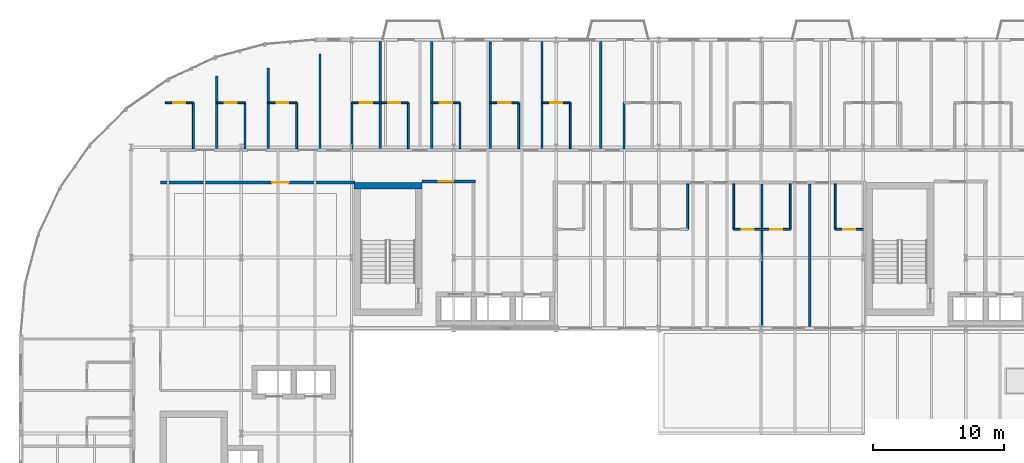
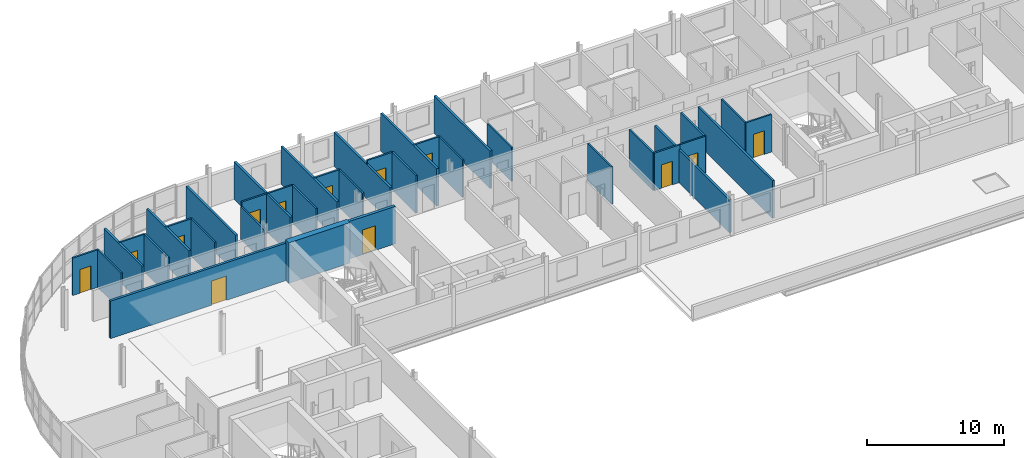
# One storey, part 23 of 36: 37 walls, 13 doors, 13 openings.
"""IFC4 building model written with IfcOpenShell, lengths in metres."""

from ifc_helpers import new_model, si_unit, direction, frame, frame_2d, origin, place, context, subcontext, project, spatial, rectangle, extrude, material, layer, layer_set, type_object, element, fill, save


model = new_model("IFC4")

# Units and contexts
model_context = context("Model", 3, precision=1e-05, world=origin(), true_north=direction((0.0, 1.0)))
body_context = subcontext(model_context, "Body", "Model", "MODEL_VIEW")
ifc_project = project(units=[si_unit("LENGTHUNIT", "METRE"), si_unit("AREAUNIT", "SQUARE_METRE"), si_unit("VOLUMEUNIT", "CUBIC_METRE"), si_unit("PLANEANGLEUNIT", "RADIAN"), si_unit("MASSUNIT", "GRAM", prefix="KILO")], contexts=[model_context])

# Site, building, storey
site_placement = place(None, origin())
site = spatial("IfcSite", under=ifc_project, at=site_placement, CompositionType="ELEMENT")
building_placement = place(site_placement, origin())
building = spatial("IfcBuilding", under=site, at=building_placement, Name="Sefraquen Railside Congress Hotel", CompositionType="ELEMENT")
storey_placement = place(building_placement, frame((0.0, 0.0, 24.60009765625)))
storey = spatial("IfcBuildingStorey", under=building, at=storey_placement, Name="L05", CompositionType="ELEMENT", Elevation=24.60009765625)

# Wall
ifc_material_1 = material(Name="Concrete C50/60", Category="concrete")
ifc_layer_1 = layer(ifc_material_1, 0.5)
ifc_layer_set_1 = layer_set([ifc_layer_1], Name="Concrete C50/60")
wall_type_1 = type_object("IfcWallType", Name="TW-CW-500", PredefinedType="SHEAR", material=ifc_layer_set_1)
wall_1_placement = place(storey_placement, frame((25.39990234375, 106.862060546875, 0.0), z_axis=(0.0, 0.0, 1.0), x_axis=(1.0, 0.0, 0.0)))
element("IfcWall", 1, at=wall_1_placement, inside=storey, type_object=wall_type_1, Name="Core shear wall ST-H02 N L05", PredefinedType="SHEAR", context=body_context, shape_type="SweptSolid", body=[
    extrude(rectangle(XDim=5.16015625, YDim=0.5, at=frame_2d((2.580078125, 0.0))), origin(), (0.0, 0.0, 1.0), 3.599853515625),
])

# Wall, opening, door
ifc_material_2 = material(Name="Concrete C40/50", Category="concrete")
ifc_layer_2 = layer(ifc_material_2, 0.239990234375)
ifc_layer_set_2 = layer_set([ifc_layer_2], Name="Concrete C40/50")
wall_type_2 = type_object("IfcWallType", Name="TW-FW-240", PredefinedType="STANDARD", material=ifc_layer_set_2)
wall_2_placement = place(storey_placement, frame((30.56005859375, 107.199951171875, 0.0), z_axis=(0.0, 0.0, 1.0), x_axis=(1.0, 0.0, 0.0)))
wall_2 = element("IfcWall", 2, at=wall_2_placement, inside=storey, type_object=wall_type_2, Name="Firefighting Lift Lobby FFL-02 EI 120 separation wall L05", PredefinedType="STANDARD", context=body_context, shape_type="SweptSolid", body=[
    extrude(rectangle(XDim=4.099853515625, YDim=0.239990234375, at=frame_2d((2.0498046875, 0.0))), origin(), (0.0, 0.0, 1.0), 3.33984375),
])
opening_1_placement = place(wall_2_placement, frame((1.300048828125, 0.0, 0.0)))
opening_1 = element("IfcOpeningElement", 3, at=opening_1_placement, cuts=wall_2, Name="Opening FD-04", PredefinedType="OPENING", context=body_context, shape_type="SweptSolid", body=[
    extrude(rectangle(XDim=1.10009765625, YDim=2.199951171875, at=frame_2d((0.550048828125, 1.10009765625))), frame((0.0, 0.1298828125, 0.0), z_axis=(0.0, -1.0, 0.0), x_axis=(1.0, 0.0, 0.0)), (0.0, 0.0, 1.0), 0.260009765625),
])
ifc_material_3 = material(Name="Fire-rated steel", Category="steel")
door_type_1 = type_object("IfcDoorType", Name="TD-FD-04", OperationType="NOTDEFINED", PredefinedType="DOOR", material=ifc_material_3)
door_1_placement = place(opening_1_placement, origin())
door_1 = element("IfcDoor", 4, at=door_1_placement, inside=storey, type_object=door_type_1, Name="Firefighting Lift Lobby FFL-02 self-closing fire door L05", OperationType="SINGLE_SWING_LEFT", OverallHeight=2.199951171875, OverallWidth=1.10009765625, PredefinedType="DOOR", context=body_context, shape_type="SweptSolid", body=[
    extrude(rectangle(XDim=1.10009765625, YDim=2.199951171875, at=frame_2d((0.550048828125, 1.10009765625))), frame((0.0, 0.02490234375, 0.0), z_axis=(0.0, -1.0, 0.0), x_axis=(1.0, 0.0, 0.0)), (0.0, 0.0, 1.0), 0.050048828125),
])
fill(opening_1, door_1)

# Wall
ifc_material_4 = material(Name="Moisture-resistant gypsum board", Category="gypsum")
ifc_layer_3 = layer(ifc_material_4, 0.139892578125)
ifc_layer_set_3 = layer_set([ifc_layer_3], Name="Moisture-resistant gypsum board")
wall_type_3 = type_object("IfcWallType", Name="TW-PW-140", PredefinedType="PARTITIONING", material=ifc_layer_set_3)
wall_3_placement = place(storey_placement, frame((25.22998046875, 109.699951171875, 0.0), z_axis=(0.0, 0.0, 1.0), x_axis=(0.0, 1.0, 0.0)))
element("IfcWall", 5, at=wall_3_placement, inside=storey, type_object=wall_type_3, Name="En-suite bathroom west wall RM-001", PredefinedType="PARTITIONING", context=body_context, shape_type="SweptSolid", body=[
    extrude(rectangle(XDim=3.5, YDim=0.139892578125, at=frame_2d((1.75, 0.0))), origin(), (0.0, 0.0, 1.0), 2.929931640625),
])

# Wall, opening, door
wall_4_placement = place(storey_placement, frame((25.22998046875, 113.199951171875, 0.0), z_axis=(0.0, 0.0, 1.0), x_axis=(1.0, 0.0, 0.0)))
wall_4 = element("IfcWall", 6, at=wall_4_placement, inside=storey, type_object=wall_type_3, Name="En-suite bathroom north wall RM-001", PredefinedType="PARTITIONING", context=body_context, shape_type="SweptSolid", body=[
    extrude(rectangle(XDim=2.14990234375, YDim=0.139892578125, at=frame_2d((1.074951171875, 0.0))), origin(), (0.0, 0.0, 1.0), 3.33984375),
])
opening_2_placement = place(wall_4_placement, frame((0.60498046875, 0.0, 0.0)))
opening_2 = element("IfcOpeningElement", 7, at=opening_2_placement, cuts=wall_4, Name="Opening ID-01", PredefinedType="OPENING", context=body_context, shape_type="SweptSolid", body=[
    extrude(rectangle(XDim=0.93994140625, YDim=2.14990234375, at=frame_2d((0.469970703125, 1.074951171875))), frame((0.0, 0.079833984375, 0.0), z_axis=(0.0, -1.0, 0.0), x_axis=(1.0, 0.0, 0.0)), (0.0, 0.0, 1.0), 0.159912109375),
])
ifc_material_5 = material(Name="Lacquered cedar joinery", Category="wood")
door_type_2 = type_object("IfcDoorType", Name="TD-ID-01", OperationType="NOTDEFINED", PredefinedType="DOOR", material=ifc_material_5)
door_2_placement = place(opening_2_placement, origin())
door_2 = element("IfcDoor", 8, at=door_2_placement, inside=storey, type_object=door_type_2, Name="En-suite bathroom door RM-001", OperationType="SINGLE_SWING_LEFT", OverallHeight=2.14990234375, OverallWidth=0.93994140625, PredefinedType="DOOR", context=body_context, shape_type="SweptSolid", body=[
    extrude(rectangle(XDim=0.93994140625, YDim=2.14990234375, at=frame_2d((0.469970703125, 1.074951171875))), frame((0.0, 0.02490234375, 0.0), z_axis=(0.0, -1.0, 0.0), x_axis=(1.0, 0.0, 0.0)), (0.0, 0.0, 1.0), 0.050048828125),
])
fill(opening_2, door_2)

# Wall
wall_5_placement = place(storey_placement, frame((29.530029296875, 109.699951171875, 0.0), z_axis=(0.0, 0.0, 1.0), x_axis=(0.0, 1.0, 0.0)))
element("IfcWall", 9, at=wall_5_placement, inside=storey, type_object=wall_type_3, Name="En-suite bathroom east wall RM-002", PredefinedType="PARTITIONING", context=body_context, shape_type="SweptSolid", body=[
    extrude(rectangle(XDim=3.5, YDim=0.139892578125, at=frame_2d((1.75, 0.0))), origin(), (0.0, 0.0, 1.0), 3.33984375),
])

# Wall, opening, door
wall_6_placement = place(storey_placement, frame((27.3798828125, 113.199951171875, 0.0), z_axis=(0.0, 0.0, 1.0), x_axis=(1.0, 0.0, 0.0)))
wall_6 = element("IfcWall", 10, at=wall_6_placement, inside=storey, type_object=wall_type_3, Name="En-suite bathroom north wall RM-002", PredefinedType="PARTITIONING", context=body_context, shape_type="SweptSolid", body=[
    extrude(rectangle(XDim=2.150146484375, YDim=0.139892578125, at=frame_2d((1.0751953125, 0.0))), origin(), (0.0, 0.0, 1.0), 3.33984375),
])
opening_3_placement = place(wall_6_placement, frame((0.60498046875, 0.0, 0.0)))
opening_3 = element("IfcOpeningElement", 11, at=opening_3_placement, cuts=wall_6, Name="Opening ID-01", PredefinedType="OPENING", context=body_context, shape_type="SweptSolid", body=[
    extrude(rectangle(XDim=0.93994140625, YDim=2.14990234375, at=frame_2d((0.469970703125, 1.074951171875))), frame((0.0, 0.079833984375, 0.0), z_axis=(0.0, -1.0, 0.0), x_axis=(1.0, 0.0, 0.0)), (0.0, 0.0, 1.0), 0.159912109375),
])
door_3_placement = place(opening_3_placement, origin())
door_3 = element("IfcDoor", 12, at=door_3_placement, inside=storey, type_object=door_type_2, Name="En-suite bathroom door RM-002", OperationType="SINGLE_SWING_LEFT", OverallHeight=2.14990234375, OverallWidth=0.93994140625, PredefinedType="DOOR", context=body_context, shape_type="SweptSolid", body=[
    extrude(rectangle(XDim=0.93994140625, YDim=2.14990234375, at=frame_2d((0.469970703125, 1.074951171875))), frame((0.0, 0.02490234375, 0.0), z_axis=(0.0, -1.0, 0.0), x_axis=(1.0, 0.0, 0.0)), (0.0, 0.0, 1.0), 0.050048828125),
])
fill(opening_3, door_3)

# Wall
wall_7_placement = place(storey_placement, frame((33.4599609375, 109.699951171875, 0.0), z_axis=(0.0, 0.0, 1.0), x_axis=(0.0, 1.0, 0.0)))
element("IfcWall", 13, at=wall_7_placement, inside=storey, type_object=wall_type_3, Name="En-suite bathroom east wall RM-003", PredefinedType="PARTITIONING", context=body_context, shape_type="SweptSolid", body=[
    extrude(rectangle(XDim=3.5, YDim=0.139892578125, at=frame_2d((1.75, 0.0))), origin(), (0.0, 0.0, 1.0), 3.33984375),
])

# Wall, opening, door
wall_8_placement = place(storey_placement, frame((31.31005859375, 113.199951171875, 0.0), z_axis=(0.0, 0.0, 1.0), x_axis=(1.0, 0.0, 0.0)))
wall_8 = element("IfcWall", 14, at=wall_8_placement, inside=storey, type_object=wall_type_3, Name="En-suite bathroom north wall RM-003", PredefinedType="PARTITIONING", context=body_context, shape_type="SweptSolid", body=[
    extrude(rectangle(XDim=2.14990234375, YDim=0.139892578125, at=frame_2d((1.074951171875, 0.0))), origin(), (0.0, 0.0, 1.0), 3.33984375),
])
opening_4_placement = place(wall_8_placement, frame((0.60498046875, 0.0, 0.0)))
opening_4 = element("IfcOpeningElement", 15, at=opening_4_placement, cuts=wall_8, Name="Opening ID-01", PredefinedType="OPENING", context=body_context, shape_type="SweptSolid", body=[
    extrude(rectangle(XDim=0.93994140625, YDim=2.14990234375, at=frame_2d((0.469970703125, 1.074951171875))), frame((0.0, 0.079833984375, 0.0), z_axis=(0.0, -1.0, 0.0), x_axis=(1.0, 0.0, 0.0)), (0.0, 0.0, 1.0), 0.159912109375),
])
door_4_placement = place(opening_4_placement, origin())
door_4 = element("IfcDoor", 16, at=door_4_placement, inside=storey, type_object=door_type_2, Name="En-suite bathroom door RM-003", OperationType="SINGLE_SWING_LEFT", OverallHeight=2.14990234375, OverallWidth=0.93994140625, PredefinedType="DOOR", context=body_context, shape_type="SweptSolid", body=[
    extrude(rectangle(XDim=0.93994140625, YDim=2.14990234375, at=frame_2d((0.469970703125, 1.074951171875))), frame((0.0, 0.02490234375, 0.0), z_axis=(0.0, -1.0, 0.0), x_axis=(1.0, 0.0, 0.0)), (0.0, 0.0, 1.0), 0.050048828125),
])
fill(opening_4, door_4)

# Wall
wall_9_placement = place(storey_placement, frame((37.929931640625, 109.699951171875, 0.0), z_axis=(0.0, 0.0, 1.0), x_axis=(0.0, 1.0, 0.0)))
element("IfcWall", 17, at=wall_9_placement, inside=storey, type_object=wall_type_3, Name="En-suite bathroom east wall RM-004", PredefinedType="PARTITIONING", context=body_context, shape_type="SweptSolid", body=[
    extrude(rectangle(XDim=3.5, YDim=0.139892578125, at=frame_2d((1.75, 0.0))), origin(), (0.0, 0.0, 1.0), 3.33984375),
])

# Wall, opening, door
wall_10_placement = place(storey_placement, frame((35.780029296875, 113.199951171875, 0.0), z_axis=(0.0, 0.0, 1.0), x_axis=(1.0, 0.0, 0.0)))
wall_10 = element("IfcWall", 18, at=wall_10_placement, inside=storey, type_object=wall_type_3, Name="En-suite bathroom north wall RM-004", PredefinedType="PARTITIONING", context=body_context, shape_type="SweptSolid", body=[
    extrude(rectangle(XDim=2.14990234375, YDim=0.139892578125, at=frame_2d((1.074951171875, 0.0))), origin(), (0.0, 0.0, 1.0), 3.33984375),
])
opening_5_placement = place(wall_10_placement, frame((0.60498046875, 0.0, 0.0)))
opening_5 = element("IfcOpeningElement", 19, at=opening_5_placement, cuts=wall_10, Name="Opening ID-01", PredefinedType="OPENING", context=body_context, shape_type="SweptSolid", body=[
    extrude(rectangle(XDim=0.93994140625, YDim=2.14990234375, at=frame_2d((0.469970703125, 1.074951171875))), frame((0.0, 0.079833984375, 0.0), z_axis=(0.0, -1.0, 0.0), x_axis=(1.0, 0.0, 0.0)), (0.0, 0.0, 1.0), 0.159912109375),
])
door_5_placement = place(opening_5_placement, origin())
door_5 = element("IfcDoor", 20, at=door_5_placement, inside=storey, type_object=door_type_2, Name="En-suite bathroom door RM-004", OperationType="SINGLE_SWING_LEFT", OverallHeight=2.14990234375, OverallWidth=0.93994140625, PredefinedType="DOOR", context=body_context, shape_type="SweptSolid", body=[
    extrude(rectangle(XDim=0.93994140625, YDim=2.14990234375, at=frame_2d((0.469970703125, 1.074951171875))), frame((0.0, 0.02490234375, 0.0), z_axis=(0.0, -1.0, 0.0), x_axis=(1.0, 0.0, 0.0)), (0.0, 0.0, 1.0), 0.050048828125),
])
fill(opening_5, door_5)

# Wall
wall_11_placement = place(storey_placement, frame((41.860107421875, 109.699951171875, 0.0), z_axis=(0.0, 0.0, 1.0), x_axis=(0.0, 1.0, 0.0)))
element("IfcWall", 21, at=wall_11_placement, inside=storey, type_object=wall_type_3, Name="En-suite bathroom east wall RM-005", PredefinedType="PARTITIONING", context=body_context, shape_type="SweptSolid", body=[
    extrude(rectangle(XDim=3.5, YDim=0.139892578125, at=frame_2d((1.75, 0.0))), origin(), (0.0, 0.0, 1.0), 3.33984375),
])

# Wall, opening, door
wall_12_placement = place(storey_placement, frame((39.7099609375, 113.199951171875, 0.0), z_axis=(0.0, 0.0, 1.0), x_axis=(1.0, 0.0, 0.0)))
wall_12 = element("IfcWall", 22, at=wall_12_placement, inside=storey, type_object=wall_type_3, Name="En-suite bathroom north wall RM-005", PredefinedType="PARTITIONING", context=body_context, shape_type="SweptSolid", body=[
    extrude(rectangle(XDim=2.150146484375, YDim=0.139892578125, at=frame_2d((1.0751953125, 0.0))), origin(), (0.0, 0.0, 1.0), 3.33984375),
])
opening_6_placement = place(wall_12_placement, frame((0.625, 0.0, 0.0)))
opening_6 = element("IfcOpeningElement", 23, at=opening_6_placement, cuts=wall_12, Name="Opening ID-02", PredefinedType="OPENING", context=body_context, shape_type="SweptSolid", body=[
    extrude(rectangle(XDim=0.89990234375, YDim=2.10009765625, at=frame_2d((0.449951171875, 1.050048828125))), frame((0.0, 0.079833984375, 0.0), z_axis=(0.0, -1.0, 0.0), x_axis=(1.0, 0.0, 0.0)), (0.0, 0.0, 1.0), 0.159912109375),
])
door_type_3 = type_object("IfcDoorType", Name="TD-ID-02", OperationType="NOTDEFINED", PredefinedType="DOOR", material=ifc_material_5)
door_6_placement = place(opening_6_placement, origin())
door_6 = element("IfcDoor", 24, at=door_6_placement, inside=storey, type_object=door_type_3, Name="En-suite bathroom door RM-005", OperationType="SINGLE_SWING_LEFT", OverallHeight=2.10009765625, OverallWidth=0.89990234375, PredefinedType="DOOR", context=body_context, shape_type="SweptSolid", body=[
    extrude(rectangle(XDim=0.89990234375, YDim=2.10009765625, at=frame_2d((0.449951171875, 1.050048828125))), frame((0.0, 0.02490234375, 0.0), z_axis=(0.0, -1.0, 0.0), x_axis=(1.0, 0.0, 0.0)), (0.0, 0.0, 1.0), 0.050048828125),
])
fill(opening_6, door_6)

# Walls
wall_13_placement = place(storey_placement, frame((45.9599609375, 109.699951171875, 0.0), z_axis=(0.0, 0.0, 1.0), x_axis=(0.0, 1.0, 0.0)))
element("IfcWall", 25, at=wall_13_placement, inside=storey, type_object=wall_type_3, Name="En-suite bathroom west wall RM-006", PredefinedType="PARTITIONING", context=body_context, shape_type="SweptSolid", body=[
    extrude(rectangle(XDim=3.5, YDim=0.139892578125, at=frame_2d((1.75, 0.0))), origin(), (0.0, 0.0, 1.0), 3.02978515625),
])
for number, where, z_axis, x_axis, name in (
    (26, (50.806884765625, 103.550048828125, 0.0), (0.0, 0.0, 1.0), (0.0, 1.0, 0.0), "En-suite bathroom east wall RM-026"),
    (27, (54.322998046875, 103.550048828125, 0.0), (0.0, 0.0, 1.0), (0.0, 1.0, 0.0), "En-suite bathroom west wall RM-027"),
):
    element("IfcWall", number, at=place(storey_placement, frame(where, z_axis=z_axis, x_axis=x_axis)), inside=storey, type_object=wall_type_3, Name=name, PredefinedType="PARTITIONING", context=body_context, shape_type="SweptSolid", body=[
        extrude(rectangle(XDim=3.469970703125, YDim=0.139892578125, at=frame_2d((1.73486328125, 0.0))), origin(), (0.0, 0.0, 1.0), 3.33984375),
    ])

# Wall, opening, door
wall_14_placement = place(storey_placement, frame((54.322998046875, 103.550048828125, 0.0), z_axis=(0.0, 0.0, 1.0), x_axis=(1.0, 0.0, 0.0)))
wall_14 = element("IfcWall", 28, at=wall_14_placement, inside=storey, type_object=wall_type_3, Name="En-suite bathroom south wall RM-027", PredefinedType="PARTITIONING", context=body_context, shape_type="SweptSolid", body=[
    extrude(rectangle(XDim=2.14990234375, YDim=0.139892578125, at=frame_2d((1.074951171875, 0.0))), origin(), (0.0, 0.0, 1.0), 3.33984375),
])
opening_7_placement = place(wall_14_placement, frame((0.625, 0.0, 0.0)))
opening_7 = element("IfcOpeningElement", 29, at=opening_7_placement, cuts=wall_14, Name="Opening ID-02", PredefinedType="OPENING", context=body_context, shape_type="SweptSolid", body=[
    extrude(rectangle(XDim=0.89990234375, YDim=2.10009765625, at=frame_2d((0.449951171875, 1.050048828125))), frame((0.0, 0.079833984375, 0.0), z_axis=(0.0, -1.0, 0.0), x_axis=(1.0, 0.0, 0.0)), (0.0, 0.0, 1.0), 0.159912109375),
])
door_7_placement = place(opening_7_placement, frame((0.89990234375, 0.0, 0.0), z_axis=(0.0, 0.0, 1.0), x_axis=(-1.0, 0.0, 0.0)))
door_7 = element("IfcDoor", 30, at=door_7_placement, inside=storey, type_object=door_type_3, Name="En-suite bathroom door RM-027", OperationType="SINGLE_SWING_LEFT", OverallHeight=2.10009765625, OverallWidth=0.89990234375, PredefinedType="DOOR", context=body_context, shape_type="SweptSolid", body=[
    extrude(rectangle(XDim=0.89990234375, YDim=2.10009765625, at=frame_2d((0.449951171875, 1.050048828125))), frame((0.0, 0.02490234375, 0.0), z_axis=(0.0, -1.0, 0.0), x_axis=(1.0, 0.0, 0.0)), (0.0, 0.0, 1.0), 0.050048828125),
])
fill(opening_7, door_7)

# Wall
wall_15_placement = place(storey_placement, frame((58.623046875, 103.550048828125, 0.0), z_axis=(0.0, 0.0, 1.0), x_axis=(0.0, 1.0, 0.0)))
element("IfcWall", 31, at=wall_15_placement, inside=storey, type_object=wall_type_3, Name="En-suite bathroom east wall RM-028", PredefinedType="PARTITIONING", context=body_context, shape_type="SweptSolid", body=[
    extrude(rectangle(XDim=3.469970703125, YDim=0.139892578125, at=frame_2d((1.73486328125, 0.0))), origin(), (0.0, 0.0, 1.0), 3.33984375),
])

# Wall, opening, door
wall_16_placement = place(storey_placement, frame((56.472900390625, 103.550048828125, 0.0), z_axis=(0.0, 0.0, 1.0), x_axis=(1.0, 0.0, 0.0)))
wall_16 = element("IfcWall", 32, at=wall_16_placement, inside=storey, type_object=wall_type_3, Name="En-suite bathroom south wall RM-028", PredefinedType="PARTITIONING", context=body_context, shape_type="SweptSolid", body=[
    extrude(rectangle(XDim=2.150146484375, YDim=0.139892578125, at=frame_2d((1.0751953125, 0.0))), origin(), (0.0, 0.0, 1.0), 3.33984375),
])
opening_8_placement = place(wall_16_placement, frame((0.625, 0.0, 0.0)))
opening_8 = element("IfcOpeningElement", 33, at=opening_8_placement, cuts=wall_16, Name="Opening ID-02", PredefinedType="OPENING", context=body_context, shape_type="SweptSolid", body=[
    extrude(rectangle(XDim=0.89990234375, YDim=2.10009765625, at=frame_2d((0.449951171875, 1.050048828125))), frame((0.0, 0.079833984375, 0.0), z_axis=(0.0, -1.0, 0.0), x_axis=(1.0, 0.0, 0.0)), (0.0, 0.0, 1.0), 0.159912109375),
])
door_8_placement = place(opening_8_placement, frame((0.89990234375, 0.0, 0.0), z_axis=(0.0, 0.0, 1.0), x_axis=(-1.0, 0.0, 0.0)))
door_8 = element("IfcDoor", 34, at=door_8_placement, inside=storey, type_object=door_type_3, Name="En-suite bathroom door RM-028", OperationType="SINGLE_SWING_LEFT", OverallHeight=2.10009765625, OverallWidth=0.89990234375, PredefinedType="DOOR", context=body_context, shape_type="SweptSolid", body=[
    extrude(rectangle(XDim=0.89990234375, YDim=2.10009765625, at=frame_2d((0.449951171875, 1.050048828125))), frame((0.0, 0.02490234375, 0.0), z_axis=(0.0, -1.0, 0.0), x_axis=(1.0, 0.0, 0.0)), (0.0, 0.0, 1.0), 0.050048828125),
])
fill(opening_8, door_8)

# Wall
wall_17_placement = place(storey_placement, frame((62.050048828125, 103.550048828125, 0.0), z_axis=(0.0, 0.0, 1.0), x_axis=(0.0, 1.0, 0.0)))
element("IfcWall", 35, at=wall_17_placement, inside=storey, type_object=wall_type_3, Name="En-suite bathroom west wall RM-029", PredefinedType="PARTITIONING", context=body_context, shape_type="SweptSolid", body=[
    extrude(rectangle(XDim=3.469970703125, YDim=0.139892578125, at=frame_2d((1.73486328125, 0.0))), origin(), (0.0, 0.0, 1.0), 3.33984375),
])

# Wall, opening, door
wall_18_placement = place(storey_placement, frame((62.050048828125, 103.550048828125, 0.0), z_axis=(0.0, 0.0, 1.0), x_axis=(1.0, 0.0, 0.0)))
wall_18 = element("IfcWall", 36, at=wall_18_placement, inside=storey, type_object=wall_type_3, Name="En-suite bathroom south wall RM-029", PredefinedType="PARTITIONING", context=body_context, shape_type="SweptSolid", body=[
    extrude(rectangle(XDim=2.14990234375, YDim=0.139892578125, at=frame_2d((1.074951171875, 0.0))), origin(), (0.0, 0.0, 1.0), 3.33984375),
])
opening_9_placement = place(wall_18_placement, frame((0.625, 0.0, 0.0)))
opening_9 = element("IfcOpeningElement", 37, at=opening_9_placement, cuts=wall_18, Name="Opening ID-02", PredefinedType="OPENING", context=body_context, shape_type="SweptSolid", body=[
    extrude(rectangle(XDim=0.89990234375, YDim=2.10009765625, at=frame_2d((0.449951171875, 1.050048828125))), frame((0.0, 0.079833984375, 0.0), z_axis=(0.0, -1.0, 0.0), x_axis=(1.0, 0.0, 0.0)), (0.0, 0.0, 1.0), 0.159912109375),
])
door_9_placement = place(opening_9_placement, frame((0.89990234375, 0.0, 0.0), z_axis=(0.0, 0.0, 1.0), x_axis=(-1.0, 0.0, 0.0)))
door_9 = element("IfcDoor", 38, at=door_9_placement, inside=storey, type_object=door_type_3, Name="En-suite bathroom door RM-029", OperationType="SINGLE_SWING_LEFT", OverallHeight=2.10009765625, OverallWidth=0.89990234375, PredefinedType="DOOR", context=body_context, shape_type="SweptSolid", body=[
    extrude(rectangle(XDim=0.89990234375, YDim=2.10009765625, at=frame_2d((0.449951171875, 1.050048828125))), frame((0.0, 0.02490234375, 0.0), z_axis=(0.0, -1.0, 0.0), x_axis=(1.0, 0.0, 0.0)), (0.0, 0.0, 1.0), 0.050048828125),
])
fill(opening_9, door_9)

# Wall
wall_19_placement = place(storey_placement, frame((13.14990234375, 109.699951171875, 0.0), z_axis=(0.0, 0.0, 1.0), x_axis=(0.0, 1.0, 0.0)))
element("IfcWall", 39, at=wall_19_placement, inside=storey, type_object=wall_type_3, Name="En-suite bathroom east wall RM-048", PredefinedType="PARTITIONING", context=body_context, shape_type="SweptSolid", body=[
    extrude(rectangle(XDim=3.5, YDim=0.139892578125, at=frame_2d((1.75, 0.0))), origin(), (0.0, 0.0, 1.0), 3.33984375),
])

# Wall, opening, door
wall_20_placement = place(storey_placement, frame((11.0, 113.199951171875, 0.0), z_axis=(0.0, 0.0, 1.0), x_axis=(1.0, 0.0, 0.0)))
wall_20 = element("IfcWall", 40, at=wall_20_placement, inside=storey, type_object=wall_type_3, Name="En-suite bathroom north wall RM-048", PredefinedType="PARTITIONING", context=body_context, shape_type="SweptSolid", body=[
    extrude(rectangle(XDim=2.14990234375, YDim=0.139892578125, at=frame_2d((1.074951171875, 0.0))), origin(), (0.0, 0.0, 1.0), 3.33984375),
])
opening_10_placement = place(wall_20_placement, frame((0.625, 0.0, 0.0)))
opening_10 = element("IfcOpeningElement", 41, at=opening_10_placement, cuts=wall_20, Name="Opening ID-02", PredefinedType="OPENING", context=body_context, shape_type="SweptSolid", body=[
    extrude(rectangle(XDim=0.89990234375, YDim=2.10009765625, at=frame_2d((0.449951171875, 1.050048828125))), frame((0.0, 0.079833984375, 0.0), z_axis=(0.0, -1.0, 0.0), x_axis=(1.0, 0.0, 0.0)), (0.0, 0.0, 1.0), 0.159912109375),
])
door_10_placement = place(opening_10_placement, origin())
door_10 = element("IfcDoor", 42, at=door_10_placement, inside=storey, type_object=door_type_3, Name="En-suite bathroom door RM-048", OperationType="SINGLE_SWING_RIGHT", OverallHeight=2.10009765625, OverallWidth=0.89990234375, PredefinedType="DOOR", context=body_context, shape_type="SweptSolid", body=[
    extrude(rectangle(XDim=0.89990234375, YDim=2.10009765625, at=frame_2d((0.449951171875, 1.050048828125))), frame((0.0, 0.02490234375, 0.0), z_axis=(0.0, -1.0, 0.0), x_axis=(1.0, 0.0, 0.0)), (0.0, 0.0, 1.0), 0.050048828125),
])
fill(opening_10, door_10)

# Wall
wall_21_placement = place(storey_placement, frame((17.0830078125, 109.699951171875, 0.0), z_axis=(0.0, 0.0, 1.0), x_axis=(0.0, 1.0, 0.0)))
element("IfcWall", 43, at=wall_21_placement, inside=storey, type_object=wall_type_3, Name="En-suite bathroom east wall RM-049", PredefinedType="PARTITIONING", context=body_context, shape_type="SweptSolid", body=[
    extrude(rectangle(XDim=3.5, YDim=0.139892578125, at=frame_2d((1.75, 0.0))), origin(), (0.0, 0.0, 1.0), 3.33984375),
])

# Wall, opening, door
wall_22_placement = place(storey_placement, frame((14.93310546875, 113.199951171875, 0.0), z_axis=(0.0, 0.0, 1.0), x_axis=(1.0, 0.0, 0.0)))
wall_22 = element("IfcWall", 44, at=wall_22_placement, inside=storey, type_object=wall_type_3, Name="En-suite bathroom north wall RM-049", PredefinedType="PARTITIONING", context=body_context, shape_type="SweptSolid", body=[
    extrude(rectangle(XDim=2.14990234375, YDim=0.139892578125, at=frame_2d((1.074951171875, 0.0))), origin(), (0.0, 0.0, 1.0), 3.33984375),
])
opening_11_placement = place(wall_22_placement, frame((0.625, 0.0, 0.0)))
opening_11 = element("IfcOpeningElement", 45, at=opening_11_placement, cuts=wall_22, Name="Opening ID-02", PredefinedType="OPENING", context=body_context, shape_type="SweptSolid", body=[
    extrude(rectangle(XDim=0.89990234375, YDim=2.10009765625, at=frame_2d((0.449951171875, 1.050048828125))), frame((0.0, 0.079833984375, 0.0), z_axis=(0.0, -1.0, 0.0), x_axis=(1.0, 0.0, 0.0)), (0.0, 0.0, 1.0), 0.159912109375),
])
door_11_placement = place(opening_11_placement, origin())
door_11 = element("IfcDoor", 46, at=door_11_placement, inside=storey, type_object=door_type_3, Name="En-suite bathroom door RM-049", OperationType="SINGLE_SWING_LEFT", OverallHeight=2.10009765625, OverallWidth=0.89990234375, PredefinedType="DOOR", context=body_context, shape_type="SweptSolid", body=[
    extrude(rectangle(XDim=0.89990234375, YDim=2.10009765625, at=frame_2d((0.449951171875, 1.050048828125))), frame((0.0, 0.02490234375, 0.0), z_axis=(0.0, -1.0, 0.0), x_axis=(1.0, 0.0, 0.0)), (0.0, 0.0, 1.0), 0.050048828125),
])
fill(opening_11, door_11)

# Wall
wall_23_placement = place(storey_placement, frame((21.01708984375, 109.699951171875, 0.0), z_axis=(0.0, 0.0, 1.0), x_axis=(0.0, 1.0, 0.0)))
element("IfcWall", 47, at=wall_23_placement, inside=storey, type_object=wall_type_3, Name="En-suite bathroom east wall RM-050", PredefinedType="PARTITIONING", context=body_context, shape_type="SweptSolid", body=[
    extrude(rectangle(XDim=3.5, YDim=0.139892578125, at=frame_2d((1.75, 0.0))), origin(), (0.0, 0.0, 1.0), 3.33984375),
])

# Wall, opening, door
wall_24_placement = place(storey_placement, frame((18.866943359375, 113.199951171875, 0.0), z_axis=(0.0, 0.0, 1.0), x_axis=(1.0, 0.0, 0.0)))
wall_24 = element("IfcWall", 48, at=wall_24_placement, inside=storey, type_object=wall_type_3, Name="En-suite bathroom north wall RM-050", PredefinedType="PARTITIONING", context=body_context, shape_type="SweptSolid", body=[
    extrude(rectangle(XDim=2.150146484375, YDim=0.139892578125, at=frame_2d((1.0751953125, 0.0))), origin(), (0.0, 0.0, 1.0), 3.33984375),
])
opening_12_placement = place(wall_24_placement, frame((0.625, 0.0, 0.0)))
opening_12 = element("IfcOpeningElement", 49, at=opening_12_placement, cuts=wall_24, Name="Opening ID-02", PredefinedType="OPENING", context=body_context, shape_type="SweptSolid", body=[
    extrude(rectangle(XDim=0.89990234375, YDim=2.10009765625, at=frame_2d((0.449951171875, 1.050048828125))), frame((0.0, 0.079833984375, 0.0), z_axis=(0.0, -1.0, 0.0), x_axis=(1.0, 0.0, 0.0)), (0.0, 0.0, 1.0), 0.159912109375),
])
door_12_placement = place(opening_12_placement, origin())
door_12 = element("IfcDoor", 50, at=door_12_placement, inside=storey, type_object=door_type_3, Name="En-suite bathroom door RM-050", OperationType="SINGLE_SWING_RIGHT", OverallHeight=2.10009765625, OverallWidth=0.89990234375, PredefinedType="DOOR", context=body_context, shape_type="SweptSolid", body=[
    extrude(rectangle(XDim=0.89990234375, YDim=2.10009765625, at=frame_2d((0.449951171875, 1.050048828125))), frame((0.0, 0.02490234375, 0.0), z_axis=(0.0, -1.0, 0.0), x_axis=(1.0, 0.0, 0.0)), (0.0, 0.0, 1.0), 0.050048828125),
])
fill(opening_12, door_12)

# Walls
ifc_material_6 = material(Name="Acoustic gypsum board on metal stud", Category="gypsum")
ifc_layer_4 = layer(ifc_material_6, 0.179931640625)
ifc_layer_set_4 = layer_set([ifc_layer_4], Name="Acoustic gypsum board on metal stud")
wall_type_4 = type_object("IfcWallType", Name="TW-PW-180", PredefinedType="PARTITIONING", material=ifc_layer_set_4)
for number, where, z_axis, x_axis, name in (
    (51, (27.3798828125, 109.699951171875, 0.0), (0.0, 0.0, 1.0), (0.0, 1.0, 0.0), "Guest room demising wall RM-001"),
    (52, (31.31005859375, 109.699951171875, 0.0), (0.0, 0.0, 1.0), (0.0, 1.0, 0.0), "Guest room demising wall RM-002"),
):
    element("IfcWall", number, at=place(storey_placement, frame(where, z_axis=z_axis, x_axis=x_axis)), inside=storey, type_object=wall_type_4, Name=name, PredefinedType="PARTITIONING", context=body_context, shape_type="SweptSolid", body=[
        extrude(rectangle(XDim=8.150146484375, YDim=0.179931640625, at=frame_2d((4.0751953125, 0.0))), origin(), (0.0, 0.0, 1.0), 3.33984375),
    ])
wall_25_placement = place(storey_placement, frame((35.780029296875, 109.699951171875, 0.0), z_axis=(0.0, 0.0, 1.0), x_axis=(0.0, 1.0, 0.0)))
element("IfcWall", 53, at=wall_25_placement, inside=storey, type_object=wall_type_4, Name="Guest room demising wall RM-003", PredefinedType="PARTITIONING", context=body_context, shape_type="SweptSolid", body=[
    extrude(rectangle(XDim=8.150146484375, YDim=0.179931640625, at=frame_2d((4.0751953125, 0.0))), origin(), (0.0, 0.0, 1.0), 3.02978515625),
])
for number, where, z_axis, x_axis, name in (
    (54, (39.7099609375, 109.699951171875, 0.0), (0.0, 0.0, 1.0), (0.0, 1.0, 0.0), "Guest room demising wall RM-004"),
    (55, (44.179931640625, 109.699951171875, 0.0), (0.0, 0.0, 1.0), (0.0, 1.0, 0.0), "Guest room demising wall RM-005"),
):
    element("IfcWall", number, at=place(storey_placement, frame(where, z_axis=z_axis, x_axis=x_axis)), inside=storey, type_object=wall_type_4, Name=name, PredefinedType="PARTITIONING", context=body_context, shape_type="SweptSolid", body=[
        extrude(rectangle(XDim=8.150146484375, YDim=0.179931640625, at=frame_2d((4.0751953125, 0.0))), origin(), (0.0, 0.0, 1.0), 3.33984375),
    ])
wall_26_placement = place(storey_placement, frame((56.472900390625, 96.139892578125, 0.0), z_axis=(0.0, 0.0, 1.0), x_axis=(0.0, 1.0, 0.0)))
element("IfcWall", 56, at=wall_26_placement, inside=storey, type_object=wall_type_4, Name="South guest room demising wall RM-027", PredefinedType="PARTITIONING", context=body_context, shape_type="SweptSolid", body=[
    extrude(rectangle(XDim=10.880126953125, YDim=0.179931640625, at=frame_2d((5.43994140625, 0.0))), origin(), (0.0, 0.0, 1.0), 2.929931640625),
])
wall_27_placement = place(storey_placement, frame((60.112060546875, 96.139892578125, 0.0), z_axis=(0.0, 0.0, 1.0), x_axis=(0.0, 1.0, 0.0)))
element("IfcWall", 57, at=wall_27_placement, inside=storey, type_object=wall_type_4, Name="South guest room demising wall RM-028", PredefinedType="PARTITIONING", context=body_context, shape_type="SweptSolid", body=[
    extrude(rectangle(XDim=10.880126953125, YDim=0.179931640625, at=frame_2d((5.43994140625, 0.0))), origin(), (0.0, 0.0, 1.0), 3.33984375),
])
wall_28_placement = place(storey_placement, frame((14.93310546875, 109.699951171875, 0.0), z_axis=(0.0, 0.0, 1.0), x_axis=(0.0, 1.0, 0.0)))
element("IfcWall", 58, at=wall_28_placement, inside=storey, type_object=wall_type_4, Name="Guest room demising wall RM-048", PredefinedType="PARTITIONING", context=body_context, shape_type="SweptSolid", body=[
    extrude(rectangle(XDim=5.550048828125, YDim=0.179931640625, at=frame_2d((2.77490234375, 0.0))), origin(), (0.0, 0.0, 1.0), 3.33984375),
])
wall_29_placement = place(storey_placement, frame((18.866943359375, 109.699951171875, 0.0), z_axis=(0.0, 0.0, 1.0), x_axis=(0.0, 1.0, 0.0)))
element("IfcWall", 59, at=wall_29_placement, inside=storey, type_object=wall_type_4, Name="Guest room demising wall RM-049", PredefinedType="PARTITIONING", context=body_context, shape_type="SweptSolid", body=[
    extrude(rectangle(XDim=6.150146484375, YDim=0.179931640625, at=frame_2d((3.0751953125, 0.0))), origin(), (0.0, 0.0, 1.0), 3.33984375),
])
wall_30_placement = place(storey_placement, frame((22.800048828125, 109.699951171875, 0.0), z_axis=(0.0, 0.0, 1.0), x_axis=(0.0, 1.0, 0.0)))
element("IfcWall", 60, at=wall_30_placement, inside=storey, type_object=wall_type_4, Name="Guest room demising wall RM-050", PredefinedType="PARTITIONING", context=body_context, shape_type="SweptSolid", body=[
    extrude(rectangle(XDim=7.199951171875, YDim=0.179931640625, at=frame_2d((3.60009765625, 0.0))), origin(), (0.0, 0.0, 1.0), 3.33984375),
])

# Wall, opening, door
ifc_layer_5 = layer(ifc_material_6, 0.199951171875)
ifc_layer_set_5 = layer_set([ifc_layer_5], Name="Acoustic gypsum board on metal stud")
wall_type_5 = type_object("IfcWallType", Name="TW-PW-200", PredefinedType="PARTITIONING", material=ifc_layer_set_5)
wall_31_placement = place(storey_placement, frame((10.64990234375, 107.1201171875, 0.0), z_axis=(0.0, 0.0, 1.0), x_axis=(1.0, 0.0, 0.0)))
wall_31 = element("IfcWall", 61, at=wall_31_placement, inside=storey, type_object=wall_type_5, Name="Hotel L05 south-west corridor fire-rated partition", PredefinedType="PARTITIONING", context=body_context, shape_type="SweptSolid", body=[
    extrude(rectangle(XDim=14.800048828125, YDim=0.199951171875, at=frame_2d((7.39990234375, 0.0))), origin(), (0.0, 0.0, 1.0), 3.33984375),
])
opening_13_placement = place(wall_31_placement, frame((8.5, 0.0, 0.0)))
opening_13 = element("IfcOpeningElement", 62, at=opening_13_placement, cuts=wall_31, Name="Opening ID-05", PredefinedType="OPENING", context=body_context, shape_type="SweptSolid", body=[
    extrude(rectangle(XDim=1.25, YDim=2.14990234375, at=frame_2d((0.625, 1.074951171875))), frame((0.0, 0.10986328125, 0.0), z_axis=(0.0, -1.0, 0.0), x_axis=(1.0, 0.0, 0.0)), (0.0, 0.0, 1.0), 0.219970703125),
])
ifc_material_7 = material(Name="Brushed steel", Category="steel")
door_type_4 = type_object("IfcDoorType", Name="TD-ID-05", OperationType="NOTDEFINED", PredefinedType="DOOR", material=ifc_material_7)
door_13_placement = place(opening_13_placement, frame((1.25, 0.0, 0.0), z_axis=(0.0, 0.0, 1.0), x_axis=(-1.0, 0.0, 0.0)))
door_13 = element("IfcDoor", 63, at=door_13_placement, inside=storey, type_object=door_type_4, Name="Valet pantry service door L05", OperationType="SINGLE_SWING_LEFT", OverallHeight=2.14990234375, OverallWidth=1.25, PredefinedType="DOOR", context=body_context, shape_type="SweptSolid", body=[
    extrude(rectangle(XDim=1.25, YDim=2.14990234375, at=frame_2d((0.625, 1.074951171875))), frame((0.0, 0.02490234375, 0.0), z_axis=(0.0, -1.0, 0.0), x_axis=(1.0, 0.0, 0.0)), (0.0, 0.0, 1.0), 0.050048828125),
])
fill(opening_13, door_13)

save(model, "model.ifc")
